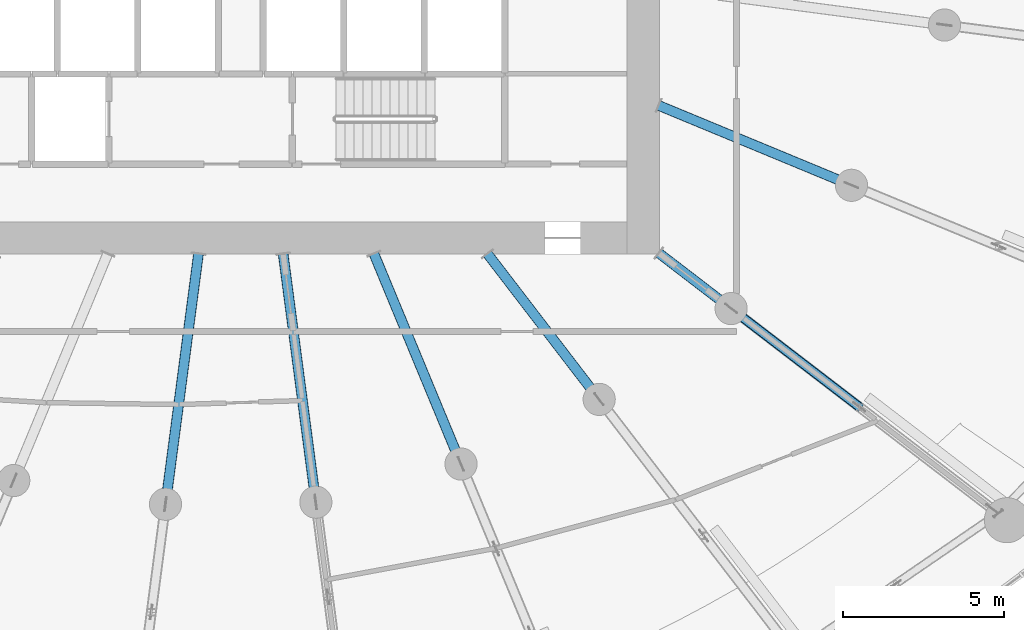
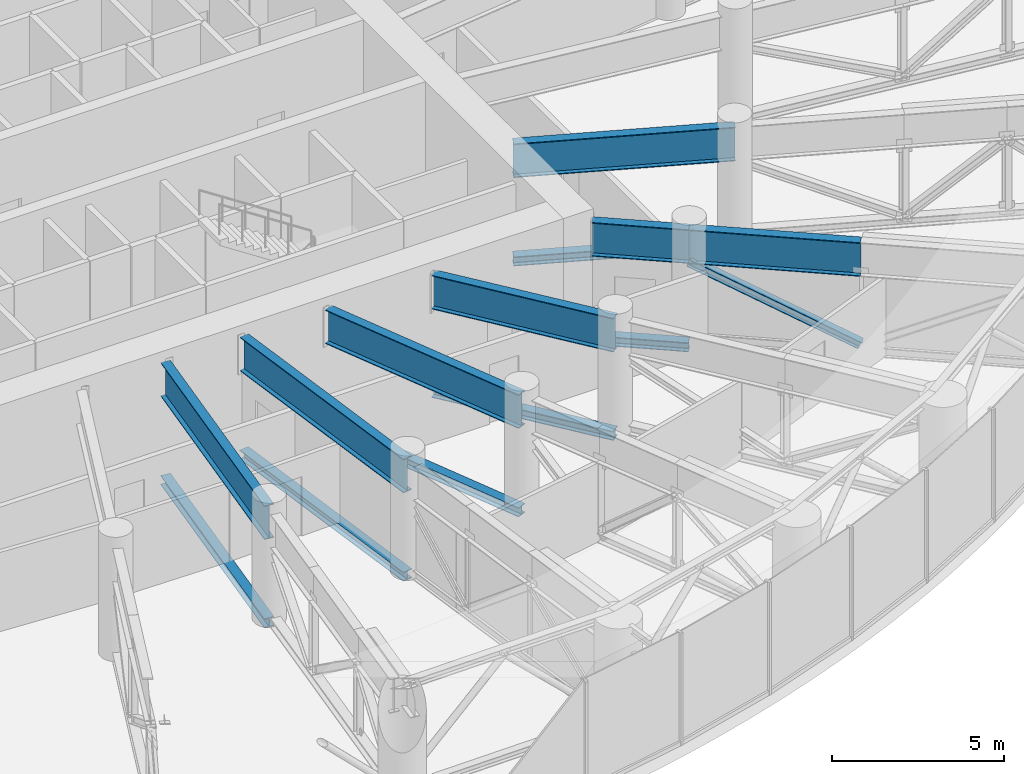
# One storey, part 8 of 42: 7 beams, 7 members.
"""IFC4 building model written with IfcOpenShell, lengths in metres."""

from ifc_helpers import new_model, si_unit, direction, frame, origin, origin_2d, place, context, subcontext, project, spatial, i_section, extrude, source, transform, mapped, material, material_profile, profile_set, type_object, element, save


model = new_model("IFC4")

# Units and contexts
model_context = context("Model", 3, precision=1e-05, world=origin(), true_north=direction((0.0, 1.0)))
body_context = subcontext(model_context, "Body", "Model", "MODEL_VIEW")
ifc_project = project(units=[si_unit("LENGTHUNIT", "METRE"), si_unit("AREAUNIT", "SQUARE_METRE"), si_unit("VOLUMEUNIT", "CUBIC_METRE"), si_unit("PLANEANGLEUNIT", "RADIAN"), si_unit("MASSUNIT", "GRAM", prefix="KILO")], contexts=[model_context])

# Site, building, storey
site_placement = place(None, origin())
site = spatial("IfcSite", under=ifc_project, at=site_placement, CompositionType="ELEMENT")
building_placement = place(site_placement, origin())
building = spatial("IfcBuilding", under=site, at=building_placement, Name="Spindrift Exchange Tower", CompositionType="ELEMENT")
storey_placement = place(building_placement, frame((0.0, 0.0, 75.39990234375)))
storey = spatial("IfcBuildingStorey", under=building, at=storey_placement, Name="L17", CompositionType="ELEMENT", Elevation=75.39990234375)

# Beam
ifc_material = material(Name="Steel Grade 300", Category="steel")
ifc_material_profile_1 = material_profile(ifc_material, i_section(OverallWidth=0.300048828125, OverallDepth=1.199951171875, WebThickness=0.011962890625, FlangeThickness=0.028076171875, at=origin_2d()), Name="1200WB249")
ifc_profile_set_1 = profile_set([ifc_material_profile_1], Name="Steel Grade 300")
beam_type = type_object("IfcBeamType", Name="Outrigger Truss Transfer Girder 1200WB249 Steel Grade 300", PredefinedType="BEAM", material=ifc_profile_set_1)
shared_shape_1 = source(origin(), body_context, "Body", "SweptSolid", [
    extrude(i_section(OverallWidth=0.300048828125, OverallDepth=1.199951171875, WebThickness=0.011962890625, FlangeThickness=0.028076171875, at=origin_2d()), origin(), (0.0, 0.0, 1.0), 7.854248046875),
])
beam_1_placement = place(storey_placement, frame((50.68603515625, 38.019775390625, 3.400146484375), z_axis=(-0.130520446117, -0.991445617846, 0.0), x_axis=(0.991445617846, -0.130520446117, 0.0)))
element("IfcBeam", 1, at=beam_1_placement, inside=storey, type_object=beam_type, Name="L17 outrigger truss 18 top chord 1", PredefinedType="BEAM", context=body_context, shape_type="MappedRepresentation", body=[
    mapped(shared_shape_1, transform((0.0, 0.0, 0.0), scale=1.0)),
])

# Member
ifc_material_profile_2 = material_profile(ifc_material, i_section(OverallWidth=0.31103515625, OverallDepth=0.326904296875, WebThickness=0.015625, FlangeThickness=0.02490234375, FilletRadius=0.0166015625, at=origin_2d()), Name="310UC158")
ifc_profile_set_2 = profile_set([ifc_material_profile_2], Name="Steel Grade 300")
member_type_1 = type_object("IfcMemberType", Name="Outrigger Truss Chord 310UC158 Steel Grade 300", PredefinedType="CHORD", material=ifc_profile_set_2)
shared_shape_2 = source(origin(), body_context, "Body", "SweptSolid", [
    extrude(i_section(OverallWidth=0.31103515625, OverallDepth=0.326904296875, WebThickness=0.015625, FlangeThickness=0.02490234375, FilletRadius=0.0166015625, at=origin_2d()), origin(), (0.0, 0.0, 1.0), 7.854248046875),
])
member_1_placement = place(storey_placement, frame((50.68603515625, 38.019775390625, -0.163330078125), z_axis=(-0.130520446117, -0.991445617846, 0.0), x_axis=(0.991445617846, -0.130520446117, 0.0)))
element("IfcMember", 2, at=member_1_placement, inside=storey, type_object=member_type_1, Name="L17 outrigger truss 18 bottom chord 1", PredefinedType="CHORD", context=body_context, shape_type="MappedRepresentation", body=[
    mapped(shared_shape_2, transform((0.0, 0.0, 0.0), scale=1.0)),
])

# Beam
shared_shape_3 = source(origin(), body_context, "Body", "SweptSolid", [
    extrude(i_section(OverallWidth=0.300048828125, OverallDepth=1.199951171875, WebThickness=0.011962890625, FlangeThickness=0.028076171875, at=origin_2d()), origin(), (0.0, 0.0, 1.0), 7.78955078125),
])
beam_2_placement = place(storey_placement, frame((53.31396484375, 38.019775390625, 3.400146484375), z_axis=(0.130539641282, -0.991443090678, 0.0), x_axis=(0.991443090678, 0.130539641282, 0.0)))
element("IfcBeam", 3, at=beam_2_placement, inside=storey, type_object=beam_type, Name="L17 outrigger truss 19 top chord 1", PredefinedType="BEAM", context=body_context, shape_type="MappedRepresentation", body=[
    mapped(shared_shape_3, transform((0.0, 0.0, 0.0), scale=1.0)),
])

# Member
shared_shape_4 = source(origin(), body_context, "Body", "SweptSolid", [
    extrude(i_section(OverallWidth=0.31103515625, OverallDepth=0.326904296875, WebThickness=0.015625, FlangeThickness=0.02490234375, FilletRadius=0.0166015625, at=origin_2d()), origin(), (0.0, 0.0, 1.0), 7.78955078125),
])
member_2_placement = place(storey_placement, frame((53.31396484375, 38.019775390625, -0.163330078125), z_axis=(0.130539641282, -0.991443090678, 0.0), x_axis=(0.991443090678, 0.130539641282, 0.0)))
element("IfcMember", 4, at=member_2_placement, inside=storey, type_object=member_type_1, Name="L17 outrigger truss 19 bottom chord 1", PredefinedType="CHORD", context=body_context, shape_type="MappedRepresentation", body=[
    mapped(shared_shape_4, transform((0.0, 0.0, 0.0), scale=1.0)),
])

# Beam
shared_shape_5 = source(origin(), body_context, "Body", "SweptSolid", [
    extrude(i_section(OverallWidth=0.300048828125, OverallDepth=1.199951171875, WebThickness=0.011962890625, FlangeThickness=0.028076171875, at=origin_2d()), origin(), (0.0, 0.0, 1.0), 7.07470703125),
])
beam_3_placement = place(storey_placement, frame((56.134521484375, 38.0185546875, 3.400146484375), z_axis=(0.382673844804, -0.923883503751, 0.0), x_axis=(0.923883503751, 0.382673844804, 0.0)))
element("IfcBeam", 5, at=beam_3_placement, inside=storey, type_object=beam_type, Name="L17 outrigger truss 20 top chord 1", PredefinedType="BEAM", context=body_context, shape_type="MappedRepresentation", body=[
    mapped(shared_shape_5, transform((0.0, 0.0, 0.0), scale=1.0)),
])

# Member
shared_shape_6 = source(origin(), body_context, "Body", "SweptSolid", [
    extrude(i_section(OverallWidth=0.31103515625, OverallDepth=0.326904296875, WebThickness=0.015625, FlangeThickness=0.02490234375, FilletRadius=0.0166015625, at=origin_2d()), origin(), (0.0, 0.0, 1.0), 7.07470703125),
])
member_3_placement = place(storey_placement, frame((56.134521484375, 38.0185546875, -0.163330078125), z_axis=(0.382673844804, -0.923883503751, 0.0), x_axis=(0.923883503751, 0.382673844804, 0.0)))
element("IfcMember", 6, at=member_3_placement, inside=storey, type_object=member_type_1, Name="L17 outrigger truss 20 bottom chord 1", PredefinedType="CHORD", context=body_context, shape_type="MappedRepresentation", body=[
    mapped(shared_shape_6, transform((0.0, 0.0, 0.0), scale=1.0)),
])

# Beam
shared_shape_7 = source(origin(), body_context, "Body", "SweptSolid", [
    extrude(i_section(OverallWidth=0.300048828125, OverallDepth=1.199951171875, WebThickness=0.011962890625, FlangeThickness=0.028076171875, at=origin_2d()), origin(), (0.0, 0.0, 1.0), 5.70458984375),
])
beam_4_placement = place(storey_placement, frame((59.6611328125, 38.015869140625, 3.400146484375), z_axis=(0.608742365615, -0.793367967784, 0.0), x_axis=(0.793367967784, 0.608742365615, 0.0)))
element("IfcBeam", 7, at=beam_4_placement, inside=storey, type_object=beam_type, Name="L17 outrigger truss 21 top chord 1", PredefinedType="BEAM", context=body_context, shape_type="MappedRepresentation", body=[
    mapped(shared_shape_7, transform((0.0, 0.0, 0.0), scale=1.0)),
])

# Member
shared_shape_8 = source(origin(), body_context, "Body", "SweptSolid", [
    extrude(i_section(OverallWidth=0.31103515625, OverallDepth=0.326904296875, WebThickness=0.015625, FlangeThickness=0.02490234375, FilletRadius=0.0166015625, at=origin_2d()), origin(), (0.0, 0.0, 1.0), 5.70458984375),
])
member_4_placement = place(storey_placement, frame((59.6611328125, 38.015869140625, -0.163330078125), z_axis=(0.608742365615, -0.793367967784, 0.0), x_axis=(0.793367967784, 0.608742365615, 0.0)))
element("IfcMember", 8, at=member_4_placement, inside=storey, type_object=member_type_1, Name="L17 outrigger truss 21 bottom chord 1", PredefinedType="CHORD", context=body_context, shape_type="MappedRepresentation", body=[
    mapped(shared_shape_8, transform((0.0, 0.0, 0.0), scale=1.0)),
])

# Beam
shared_shape_9 = source(origin(), body_context, "Body", "SweptSolid", [
    extrude(i_section(OverallWidth=0.300048828125, OverallDepth=1.199951171875, WebThickness=0.011962890625, FlangeThickness=0.028076171875, at=origin_2d()), origin(), (0.0, 0.0, 1.0), 2.833740234375),
])
beam_5_placement = place(storey_placement, frame((64.984130859375, 38.036865234375, 3.400146484375), z_axis=(0.793366414634, -0.608744389815, 0.0), x_axis=(0.608744389815, 0.793366414634, 0.0)))
element("IfcBeam", 9, at=beam_5_placement, inside=storey, type_object=beam_type, Name="L17 outrigger truss 22 top chord 1", PredefinedType="BEAM", context=body_context, shape_type="MappedRepresentation", body=[
    mapped(shared_shape_9, transform((0.0, 0.0, 0.0), scale=1.0)),
])

# Member
shared_shape_10 = source(origin(), body_context, "Body", "SweptSolid", [
    extrude(i_section(OverallWidth=0.31103515625, OverallDepth=0.326904296875, WebThickness=0.015625, FlangeThickness=0.02490234375, FilletRadius=0.0166015625, at=origin_2d()), origin(), (0.0, 0.0, 1.0), 2.833740234375),
])
member_5_placement = place(storey_placement, frame((64.984130859375, 38.036865234375, -0.163330078125), z_axis=(0.793366414634, -0.608744389815, 0.0), x_axis=(0.608744389815, 0.793366414634, 0.0)))
element("IfcMember", 10, at=member_5_placement, inside=storey, type_object=member_type_1, Name="L17 outrigger truss 22 bottom chord 1", PredefinedType="CHORD", context=body_context, shape_type="MappedRepresentation", body=[
    mapped(shared_shape_10, transform((0.0, 0.0, 0.0), scale=1.0)),
])

# Beam
shared_shape_11 = source(origin(), body_context, "Body", "SweptSolid", [
    extrude(i_section(OverallWidth=0.300048828125, OverallDepth=1.199951171875, WebThickness=0.011962890625, FlangeThickness=0.028076171875, at=origin_2d()), origin(), (0.0, 0.0, 1.0), 5.02587890625),
])
beam_6_placement = place(storey_placement, frame((67.232421875, 36.311767578125, 3.400146484375), z_axis=(0.793352973546, -0.60876190696, 0.0), x_axis=(0.60876190696, 0.793352973546, 0.0)))
element("IfcBeam", 11, at=beam_6_placement, inside=storey, type_object=beam_type, Name="L17 outrigger truss 22 top chord 2", PredefinedType="BEAM", context=body_context, shape_type="MappedRepresentation", body=[
    mapped(shared_shape_11, transform((0.0, 0.0, 0.0), scale=1.0)),
])

# Member
ifc_material_profile_3 = material_profile(ifc_material, i_section(OverallWidth=0.256103515625, OverallDepth=0.260009765625, WebThickness=0.010498046875, FlangeThickness=0.017333984375, FilletRadius=0.011962890625, at=origin_2d()), Name="250UC89.5")
ifc_profile_set_3 = profile_set([ifc_material_profile_3], Name="Steel Grade 300")
member_type_2 = type_object("IfcMemberType", Name="Outrigger Truss Diagonal 250UC89.5 Steel Grade 300", PredefinedType="BRACE", material=ifc_profile_set_3)
shared_shape_12 = source(origin(), body_context, "Body", "SweptSolid", [
    extrude(i_section(OverallWidth=0.256103515625, OverallDepth=0.260009765625, WebThickness=0.010498046875, FlangeThickness=0.017333984375, FilletRadius=0.011962890625, at=origin_2d()), origin(), (0.0, 0.0, 1.0), 5.601318359375),
])
member_6_placement = place(storey_placement, frame((67.232421875, 36.311767578125, 2.800048828125), z_axis=(0.71185067652, -0.546222916859, -0.441485152), x_axis=(0.60876190696, 0.793352973546, 0.0)))
element("IfcMember", 12, at=member_6_placement, inside=storey, type_object=member_type_2, Name="L17 outrigger truss 22 diagonal 2", PredefinedType="BRACE", context=body_context, shape_type="MappedRepresentation", body=[
    mapped(shared_shape_12, transform((0.0, 0.0, 0.0), scale=1.0)),
])

# Beam
shared_shape_13 = source(origin(), body_context, "Body", "SweptSolid", [
    extrude(i_section(OverallWidth=0.300048828125, OverallDepth=1.199951171875, WebThickness=0.011962890625, FlangeThickness=0.028076171875, at=origin_2d()), origin(), (0.0, 0.0, 1.0), 6.484619140625),
])
beam_7_placement = place(storey_placement, frame((64.9814453125, 42.622802734375, 3.400146484375), z_axis=(0.923884678616, -0.382671008332, 0.0), x_axis=(0.382671008332, 0.923884678616, 0.0)))
element("IfcBeam", 13, at=beam_7_placement, inside=storey, type_object=beam_type, Name="L17 outrigger truss 23 top chord 1", PredefinedType="BEAM", context=body_context, shape_type="MappedRepresentation", body=[
    mapped(shared_shape_13, transform((0.0, 0.0, 0.0), scale=1.0)),
])

# Member
shared_shape_14 = source(origin(), body_context, "Body", "SweptSolid", [
    extrude(i_section(OverallWidth=0.31103515625, OverallDepth=0.326904296875, WebThickness=0.015625, FlangeThickness=0.02490234375, FilletRadius=0.0166015625, at=origin_2d()), origin(), (0.0, 0.0, 1.0), 6.484619140625),
])
member_7_placement = place(storey_placement, frame((64.9814453125, 42.622802734375, -0.163330078125), z_axis=(0.923884678616, -0.382671008332, 0.0), x_axis=(0.382671008332, 0.923884678616, 0.0)))
element("IfcMember", 14, at=member_7_placement, inside=storey, type_object=member_type_1, Name="L17 outrigger truss 23 bottom chord 1", PredefinedType="CHORD", context=body_context, shape_type="MappedRepresentation", body=[
    mapped(shared_shape_14, transform((0.0, 0.0, 0.0), scale=1.0)),
])

save(model, "model.ifc")
